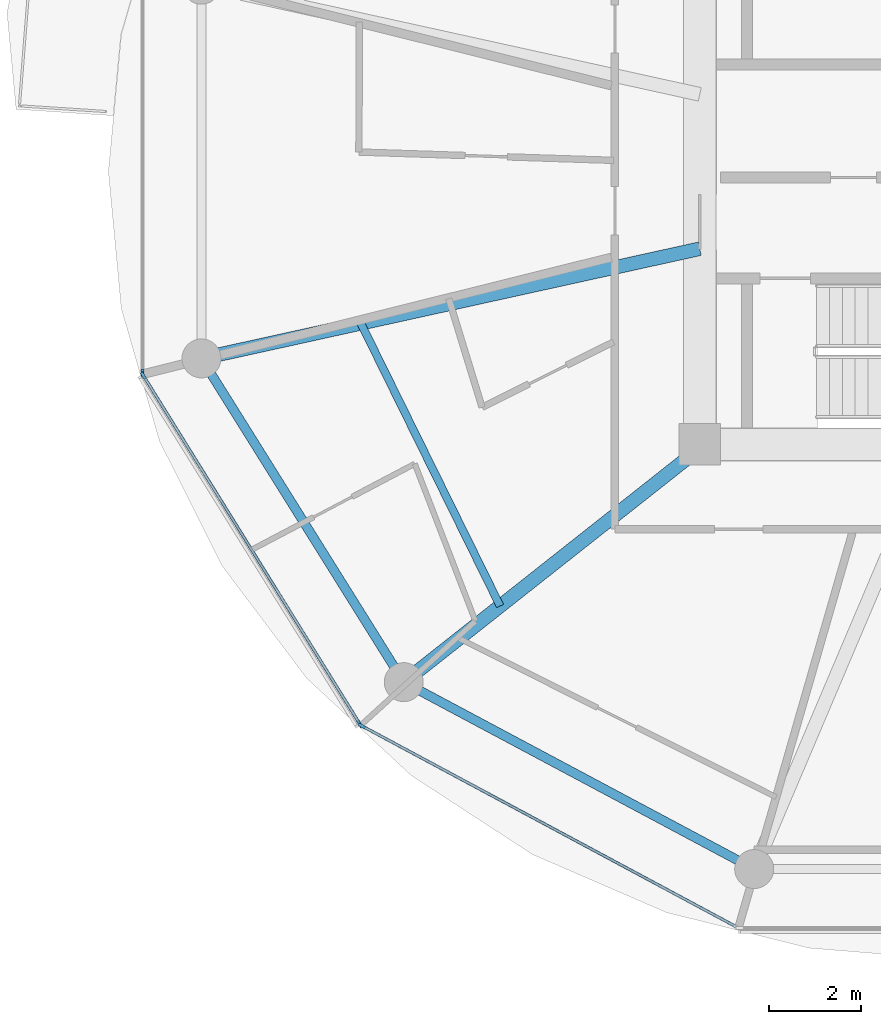
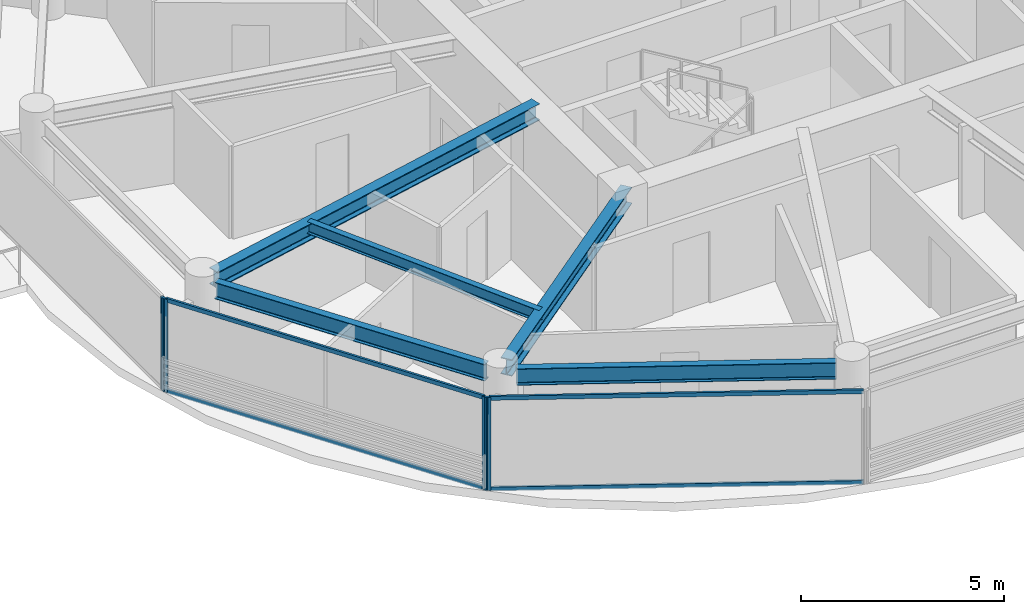
# One storey, part 6 of 22: 8 members, 5 beams, 3 elements without a shape of their own.
"""IFC4 building model written with IfcOpenShell, lengths in metres."""

from ifc_helpers import new_model, si_unit, direction, frame, origin, origin_2d, place, context, subcontext, project, spatial, rectangle, i_section, extrude, source, transform, mapped, material, layer, layer_set, material_profile, profile_set, type_object, type_shapes, element, aggregate, save


model = new_model("IFC4")

# Units and contexts
model_context = context("Model", 3, precision=1e-05, world=origin(), true_north=direction((0.0, 1.0)))
body_context = subcontext(model_context, "Body", "Model", "MODEL_VIEW")
ifc_project = project(units=[si_unit("LENGTHUNIT", "METRE"), si_unit("AREAUNIT", "SQUARE_METRE"), si_unit("VOLUMEUNIT", "CUBIC_METRE"), si_unit("PLANEANGLEUNIT", "RADIAN"), si_unit("MASSUNIT", "GRAM", prefix="KILO")], contexts=[model_context])

# Site, building, storey
site_placement = place(None, origin())
site = spatial("IfcSite", under=ifc_project, at=site_placement, CompositionType="ELEMENT")
building_placement = place(site_placement, origin())
building = spatial("IfcBuilding", under=site, at=building_placement, Name="Norrkilde Senior Care Towers", CompositionType="ELEMENT")
storey_placement = place(building_placement, frame((0.0, 0.0, 123.699951171875)))
storey = spatial("IfcBuildingStorey", under=building, at=storey_placement, Name="L38", CompositionType="ELEMENT", Elevation=123.699951171875)

# Beams
ifc_material_1 = material(Name="Steel S355", Category="steel")
ifc_material_profile_1 = material_profile(ifc_material_1, i_section(OverallWidth=0.199951171875, OverallDepth=0.5, WebThickness=0.01025390625, FlangeThickness=0.01611328125, FilletRadius=0.02099609375, at=origin_2d()), Name="IPE 500")
ifc_profile_set_1 = profile_set([ifc_material_profile_1], Name="Steel S355")
beam_type_1 = type_object("IfcBeamType", Name="Perimeter Ring Spandrel Z2 IPE500", PredefinedType="SPANDREL", material=ifc_profile_set_1)
shared_shape_1 = source(origin(), body_context, "Body", "SweptSolid", [
    extrude(i_section(OverallWidth=0.199951171875, OverallDepth=0.5, WebThickness=0.01025390625, FlangeThickness=0.01611328125, FilletRadius=0.02099609375, at=origin_2d()), origin(), (0.0, 0.0, 1.0), 7.55615234375),
])
beam_1_placement = place(storey_placement, frame((9.68505859375, -4.40283203125, 2.5400390625), z_axis=(0.529981514254, -0.848009194849, 0.0), x_axis=(0.848009194849, 0.529981514254, 0.0)))
element("IfcBeam", 1, at=beam_1_placement, inside=storey, type_object=beam_type_1, Name="L38 Drum E Perimeter Spandrel 07", PredefinedType="SPANDREL", context=body_context, shape_type="MappedRepresentation", body=[
    mapped(shared_shape_1, transform((0.0, 0.0, 0.0), x_axis=(1.0, 0.0, 0.0), y_axis=(0.0, 1.0, 0.0), z_axis=(0.0, 0.0, 1.0), scale=1.0)),
])
ifc_material_profile_2 = material_profile(ifc_material_1, i_section(OverallWidth=0.300048828125, OverallDepth=0.5, WebThickness=0.014404296875, FlangeThickness=0.028076171875, FilletRadius=0.027099609375, at=origin_2d()), Name="HEB 500")
ifc_profile_set_2 = profile_set([ifc_material_profile_2], Name="Steel S355")
beam_type_2 = type_object("IfcBeamType", Name="Radial Floor Beam Z2 HEB500", PredefinedType="BEAM", material=ifc_profile_set_2)
shared_shape_2 = source(origin(), body_context, "Body", "SweptSolid", [
    extrude(i_section(OverallWidth=0.300048828125, OverallDepth=0.5, WebThickness=0.014404296875, FlangeThickness=0.028076171875, FilletRadius=0.027099609375, at=origin_2d()), origin(), (0.0, 0.0, 1.0), 10.744384765625),
])
beam_2_placement = place(storey_placement, frame((20.35009765625, -1.683837890625, 2.5400390625), z_axis=(-0.976618711422, -0.214978818724, 0.0), x_axis=(0.214978818724, -0.976618711422, 0.0)))
element("IfcBeam", 2, at=beam_2_placement, inside=storey, type_object=beam_type_2, Name="L38 Drum E Radial Floor Beam 07", PredefinedType="BEAM", context=body_context, shape_type="MappedRepresentation", body=[
    mapped(shared_shape_2, transform((0.0, 0.0, 0.0), x_axis=(1.0, 0.0, 0.0), y_axis=(0.0, 1.0, 0.0), z_axis=(0.0, 0.0, 1.0), scale=1.0)),
])
shared_shape_3 = source(origin(), body_context, "Body", "SweptSolid", [
    extrude(i_section(OverallWidth=0.199951171875, OverallDepth=0.5, WebThickness=0.01025390625, FlangeThickness=0.01611328125, FilletRadius=0.02099609375, at=origin_2d()), origin(), (0.0, 0.0, 1.0), 7.892333984375),
])
type_shapes(beam_type_1, [shared_shape_1, shared_shape_3])
beam_3_placement = place(storey_placement, frame((14.233642578125, -11.318115234375, 2.5400390625), z_axis=(0.882350372282, -0.47059305194, 0.0), x_axis=(0.47059305194, 0.882350372282, 0.0)))
element("IfcBeam", 3, at=beam_3_placement, inside=storey, type_object=beam_type_1, Name="L38 Drum E Perimeter Spandrel 08", PredefinedType="SPANDREL", context=body_context, shape_type="MappedRepresentation", body=[
    mapped(shared_shape_3, transform((0.0, 0.0, 0.0), x_axis=(1.0, 0.0, 0.0), y_axis=(0.0, 1.0, 0.0), z_axis=(0.0, 0.0, 1.0), scale=1.0)),
])
shared_shape_4 = source(origin(), body_context, "Body", "SweptSolid", [
    extrude(i_section(OverallWidth=0.300048828125, OverallDepth=0.5, WebThickness=0.014404296875, FlangeThickness=0.028076171875, FilletRadius=0.027099609375, at=origin_2d()), origin(), (0.0, 0.0, 1.0), 7.985595703125),
])
type_shapes(beam_type_2, [shared_shape_2, shared_shape_4])
beam_4_placement = place(storey_placement, frame((20.463623046875, -5.949951171875, 2.5400390625), z_axis=(-0.784858505144, -0.619675017169, 0.0), x_axis=(0.619675017169, -0.784858505144, 0.0)))
element("IfcBeam", 4, at=beam_4_placement, inside=storey, type_object=beam_type_2, Name="L38 Drum E Radial Floor Beam 08", PredefinedType="BEAM", context=body_context, shape_type="MappedRepresentation", body=[
    mapped(shared_shape_4, transform((0.0, 0.0, 0.0), x_axis=(1.0, 0.0, 0.0), y_axis=(0.0, 1.0, 0.0), z_axis=(0.0, 0.0, 1.0), scale=1.0)),
])
ifc_material_profile_3 = material_profile(ifc_material_1, i_section(OverallWidth=0.169921875, OverallDepth=0.360107421875, WebThickness=0.008056640625, FlangeThickness=0.0126953125, FilletRadius=0.01806640625, at=origin_2d()), Name="IPE 360")
ifc_profile_set_3 = profile_set([ifc_material_profile_3], Name="Steel S355")
beam_type_3 = type_object("IfcBeamType", Name="Secondary Floor Joist IPE360", PredefinedType="JOIST", material=ifc_profile_set_3)
shared_shape_5 = source(origin(), body_context, "Body", "SweptSolid", [
    extrude(i_section(OverallWidth=0.169921875, OverallDepth=0.360107421875, WebThickness=0.008056640625, FlangeThickness=0.0126953125, FilletRadius=0.01806640625, at=origin_2d()), origin(), (0.0, 0.0, 1.0), 6.87353515625),
])
type_shapes(beam_type_3, [shared_shape_5])
beam_5_placement = place(storey_placement, frame((12.958984375, -3.310791015625, 2.610107421875), z_axis=(0.44184939592, -0.897089243791, 0.0), x_axis=(0.897089243791, 0.44184939592, 0.0)))
element("IfcBeam", 5, at=beam_5_placement, inside=storey, type_object=beam_type_3, Name="L38 Drum E Secondary Floor Joist 3", PredefinedType="JOIST", context=body_context, shape_type="MappedRepresentation", body=[
    mapped(shared_shape_5, transform((0.0, 0.0, 0.0), x_axis=(1.0, 0.0, 0.0), y_axis=(0.0, 1.0, 0.0), z_axis=(0.0, 0.0, 1.0), scale=1.0)),
])

# Curtain wall, member
ifc_material_2 = material(Name="Triple Low-E Insulated Glazing", Category="glass")
ifc_layer = layer(ifc_material_2, 0.195068359375)
ifc_layer_set = layer_set([ifc_layer], Name="Triple Low-E Insulated Glazing")
curtain_wall_type = type_object("IfcCurtainWallType", Name="CW3 Zone 2 Assisted Living Curtain Wall", PredefinedType="NOTDEFINED", material=ifc_layer_set)
curtain_wall_1_placement = place(storey_placement, origin())
curtain_wall_1 = element("IfcCurtainWall", 6, at=curtain_wall_1_placement, inside=storey, type_object=curtain_wall_type, Name="L38 Drum E Curtain Wall 05", PredefinedType="NOTDEFINED")
ifc_material_3 = material(Name="Anodised Aluminium", Category="aluminium")
ifc_material_profile_4 = material_profile(ifc_material_3, rectangle(XDim=0.06494140625, YDim=0.159912109375, at=origin_2d()), Name="ALU MULL 65x160")
ifc_profile_set_4 = profile_set([ifc_material_profile_4], Name="Anodised Aluminium")
member_type_1 = type_object("IfcMemberType", Name="Curtain Wall Mullion Z1-Z2 65x160", PredefinedType="MULLION", material=ifc_profile_set_4)
shared_shape_6 = source(origin(), body_context, "Body", "SweptSolid", [
    extrude(rectangle(XDim=0.06494140625, YDim=0.159912109375, at=origin_2d()), origin(), (0.0, 0.0, 1.0), 2.7900390625),
])
type_shapes(member_type_1, [shared_shape_6])
member_1_placement = place(storey_placement, frame((8.1962890625, -4.38818359375, 0.0), z_axis=(0.0, 0.0, 1.0), x_axis=(-1.0, 0.0, 0.0)))
member_1 = element("IfcMember", 7, at=member_1_placement, type_object=member_type_1, Name="CW-3 mullion 1", PredefinedType="MULLION", context=body_context, shape_type="MappedRepresentation", body=[
    mapped(shared_shape_6, transform((0.0, 0.0, 0.0), x_axis=(1.0, 0.0, 0.0), y_axis=(0.0, 1.0, 0.0), z_axis=(0.0, 0.0, 1.0), scale=1.0)),
])
aggregate(curtain_wall_1, [member_1])

# Curtain wall, members
curtain_wall_2_placement = place(storey_placement, origin())
curtain_wall_2 = element("IfcCurtainWall", 8, at=curtain_wall_2_placement, inside=storey, type_object=curtain_wall_type, Name="L38 Drum E Curtain Wall 06", PredefinedType="NOTDEFINED")
member_2_placement = place(storey_placement, frame((12.936279296875, -12.0498046875, 0.0), z_axis=(0.0, 0.0, 1.0), x_axis=(-0.849410171862, -0.527733228002, 0.0)))
member_2 = element("IfcMember", 9, at=member_2_placement, type_object=member_type_1, Name="CW-3 mullion 1", PredefinedType="MULLION", context=body_context, shape_type="MappedRepresentation", body=[
    mapped(shared_shape_6, transform((0.0, 0.0, 0.0), x_axis=(1.0, 0.0, 0.0), y_axis=(0.0, 1.0, 0.0), z_axis=(0.0, 0.0, 1.0), scale=1.0)),
])
member_3_placement = place(storey_placement, frame((8.21337890625, -4.4482421875, 0.0), z_axis=(0.0, 0.0, 1.0), x_axis=(-0.849410171862, -0.527733228002, 0.0)))
member_3 = element("IfcMember", 10, at=member_3_placement, type_object=member_type_1, Name="CW-3 mullion 2", PredefinedType="MULLION", context=body_context, shape_type="MappedRepresentation", body=[
    mapped(shared_shape_6, transform((0.0, 0.0, 0.0), x_axis=(1.0, 0.0, 0.0), y_axis=(0.0, 1.0, 0.0), z_axis=(0.0, 0.0, 1.0), scale=1.0)),
])

# Curtain wall, member
curtain_wall_3_placement = place(storey_placement, origin())
curtain_wall_3 = element("IfcCurtainWall", 11, at=curtain_wall_3_placement, inside=storey, type_object=curtain_wall_type, Name="L38 Drum E Curtain Wall 07", PredefinedType="NOTDEFINED")
member_4_placement = place(storey_placement, frame((12.98193359375, -12.0927734375, 0.0), z_axis=(0.0, 0.0, 1.0), x_axis=(-0.472769402511, -0.881186184668, 0.0)))
member_4 = element("IfcMember", 12, at=member_4_placement, type_object=member_type_1, Name="CW-3 mullion 2", PredefinedType="MULLION", context=body_context, shape_type="MappedRepresentation", body=[
    mapped(shared_shape_6, transform((0.0, 0.0, 0.0), x_axis=(1.0, 0.0, 0.0), y_axis=(0.0, 1.0, 0.0), z_axis=(0.0, 0.0, 1.0), scale=1.0)),
])

# Member
ifc_material_profile_5 = material_profile(ifc_material_3, rectangle(XDim=0.06005859375, YDim=0.1201171875, at=origin_2d()), Name="ALU TRAN 60x120")
ifc_profile_set_5 = profile_set([ifc_material_profile_5], Name="Anodised Aluminium")
member_type_2 = type_object("IfcMemberType", Name="Curtain Wall Transom Typical 60x120", PredefinedType="USERDEFINED", material=ifc_profile_set_5)
shared_shape_7 = source(origin(), body_context, "Body", "SweptSolid", [
    extrude(rectangle(XDim=0.06005859375, YDim=0.1201171875, at=origin_2d()), origin(), (0.0, 0.0, 1.0), 8.88427734375),
])
member_5_placement = place(storey_placement, frame((12.919189453125, -12.022216796875, 0.030029296875), z_axis=(-0.527749293309, 0.849400190377, 0.0), x_axis=(-0.849400190377, -0.527749293309, 0.0)))
member_5 = element("IfcMember", 13, at=member_5_placement, type_object=member_type_2, Name="CW-3 transom 1.1", ObjectType="TRANSOM", PredefinedType="USERDEFINED", context=body_context, shape_type="MappedRepresentation", body=[
    mapped(shared_shape_7, transform((0.0, 0.0, 0.0), x_axis=(1.0, 0.0, 0.0), y_axis=(0.0, 1.0, 0.0), z_axis=(0.0, 0.0, 1.0), scale=1.0)),
])

member_6_placement = place(storey_placement, frame((12.919189453125, -12.022216796875, 2.760009765625), z_axis=(-0.527749293309, 0.849400190377, 0.0), x_axis=(-0.849400190377, -0.527749293309, 0.0)))
member_6 = element("IfcMember", 14, at=member_6_placement, type_object=member_type_2, Name="CW-3 transom 1.2", ObjectType="TRANSOM", PredefinedType="USERDEFINED", context=body_context, shape_type="MappedRepresentation", body=[
    mapped(shared_shape_7, transform((0.0, 0.0, 0.0), x_axis=(1.0, 0.0, 0.0), y_axis=(0.0, 1.0, 0.0), z_axis=(0.0, 0.0, 1.0), scale=1.0)),
])

aggregate(curtain_wall_2, [member_2, member_3, member_5, member_6])

shared_shape_8 = source(origin(), body_context, "Body", "SweptSolid", [
    extrude(rectangle(XDim=0.06005859375, YDim=0.1201171875, at=origin_2d()), origin(), (0.0, 0.0, 1.0), 9.220458984375),
])
type_shapes(member_type_2, [shared_shape_7, shared_shape_8])
member_7_placement = place(storey_placement, frame((21.1357421875, -16.46728515625, 0.030029296875), z_axis=(-0.881188517866, 0.472765053681, 0.0), x_axis=(-0.472765053681, -0.881188517866, 0.0)))
member_7 = element("IfcMember", 15, at=member_7_placement, type_object=member_type_2, Name="CW-3 transom 1.1", ObjectType="TRANSOM", PredefinedType="USERDEFINED", context=body_context, shape_type="MappedRepresentation", body=[
    mapped(shared_shape_8, transform((0.0, 0.0, 0.0), x_axis=(1.0, 0.0, 0.0), y_axis=(0.0, 1.0, 0.0), z_axis=(0.0, 0.0, 1.0), scale=1.0)),
])

member_8_placement = place(storey_placement, frame((21.1357421875, -16.46728515625, 2.760009765625), z_axis=(-0.881188517866, 0.472765053681, 0.0), x_axis=(-0.472765053681, -0.881188517866, 0.0)))
member_8 = element("IfcMember", 16, at=member_8_placement, type_object=member_type_2, Name="CW-3 transom 1.2", ObjectType="TRANSOM", PredefinedType="USERDEFINED", context=body_context, shape_type="MappedRepresentation", body=[
    mapped(shared_shape_8, transform((0.0, 0.0, 0.0), x_axis=(1.0, 0.0, 0.0), y_axis=(0.0, 1.0, 0.0), z_axis=(0.0, 0.0, 1.0), scale=1.0)),
])

aggregate(curtain_wall_3, [member_4, member_7, member_8])

save(model, "model.ifc")
